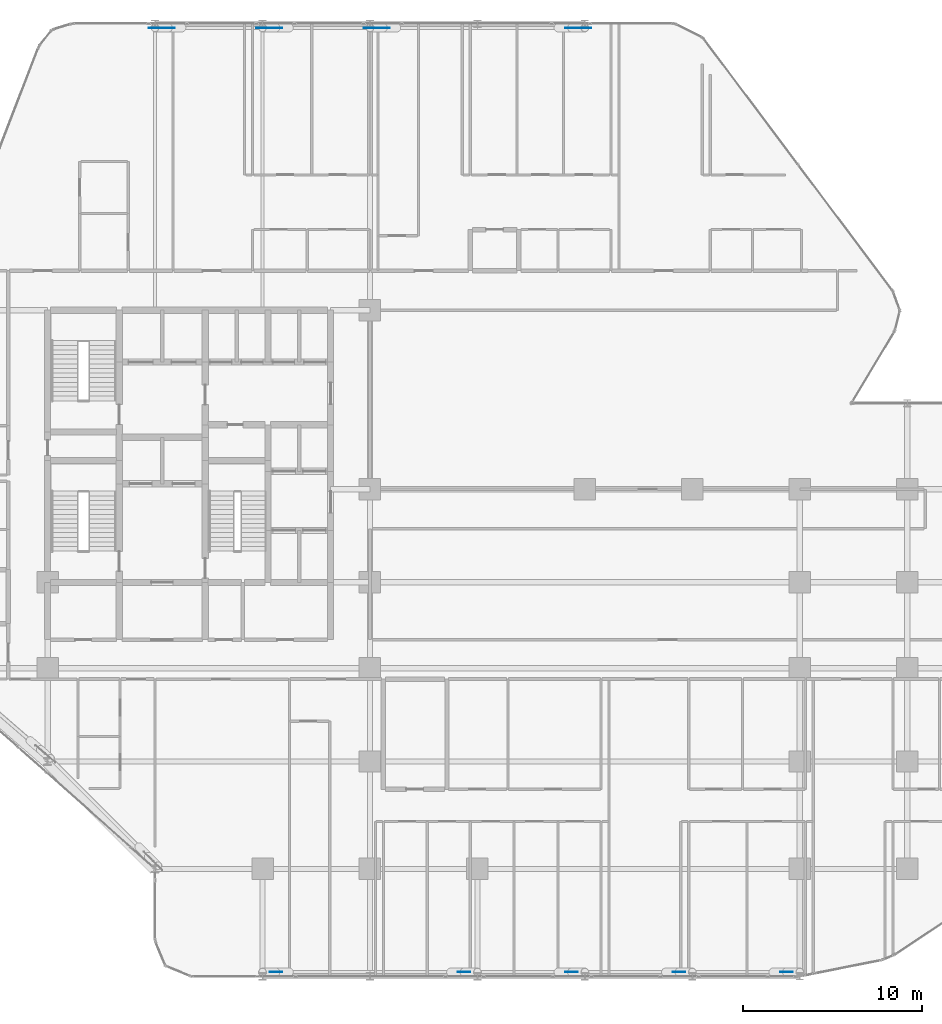
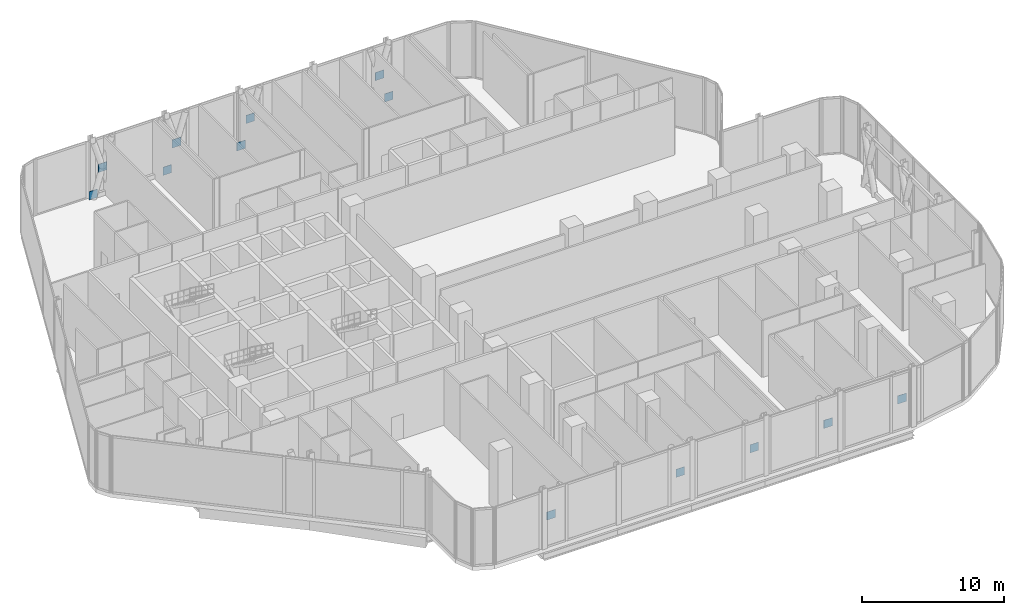
# One storey, part 27 of 36: 13 plates.
"""IFC4 building model written with IfcOpenShell, lengths in metres."""

from ifc_helpers import new_model, si_unit, direction, frame, origin, origin_2d, place, context, subcontext, project, spatial, rectangle, extrude, material, layer, layer_set, type_object, element, save


model = new_model("IFC4")

# Units and contexts
model_context = context("Model", 3, precision=1e-05, world=origin(), true_north=direction((0.0, 1.0)))
body_context = subcontext(model_context, "Body", "Model", "MODEL_VIEW")
ifc_project = project(units=[si_unit("LENGTHUNIT", "METRE"), si_unit("AREAUNIT", "SQUARE_METRE"), si_unit("VOLUMEUNIT", "CUBIC_METRE"), si_unit("PLANEANGLEUNIT", "RADIAN"), si_unit("MASSUNIT", "GRAM", prefix="KILO")], contexts=[model_context])

# Site, building, storey
site_placement = place(None, origin())
site = spatial("IfcSite", under=ifc_project, at=site_placement, CompositionType="ELEMENT")
building_placement = place(site_placement, origin())
building = spatial("IfcBuilding", under=site, at=building_placement, Name="Keshet Zoharim Tower", CompositionType="ELEMENT")
storey_placement = place(building_placement, frame((0.0, 0.0, 81.199951171875)))
storey = spatial("IfcBuildingStorey", under=building, at=storey_placement, Name="L19", CompositionType="ELEMENT", Elevation=81.199951171875)

# Plates
ifc_material = material(Name="Steel S355", Category="steel")
ifc_layer = layer(ifc_material, 0.02490234375)
ifc_layer_set = layer_set([ifc_layer], Name="Steel S355")
plate_type = type_object("IfcPlateType", Name="PL-GUS-25", PredefinedType="SHEET", material=ifc_layer_set)
for number, where, z_axis, x_axis, name in (
    (1, (21.75, 53.659912109375, 2.0927734375), (0.0, 0.0, 1.0), (1.0, 0.0, 0.0), "L19 Belt Truss X-Crossing Gusset 03"),
    (2, (21.0, 53.659912109375, 0.0), (0.0, 0.0, 1.0), (1.0, 0.0, 0.0), "L19 Belt Truss Node Gusset 03"),
    (3, (27.75, 53.659912109375, 2.0927734375), (0.0, 0.0, 1.0), (1.0, 0.0, 0.0), "L19 Belt Truss X-Crossing Gusset 04"),
    (4, (27.0, 53.659912109375, 0.0), (0.0, 0.0, 1.0), (1.0, 0.0, 0.0), "L19 Belt Truss Node Gusset 04"),
    (5, (33.75, 53.659912109375, 2.0927734375), (0.0, 0.0, 1.0), (1.0, 0.0, 0.0), "L19 Belt Truss X-Crossing Gusset 05"),
    (6, (33.0, 53.659912109375, 0.0), (0.0, 0.0, 1.0), (1.0, 0.0, 0.0), "L19 Belt Truss Node Gusset 05"),
    (7, (44.25, 53.659912109375, 2.0927734375), (0.0, 0.0, 1.0), (1.0, 0.0, 0.0), "L19 Belt Truss X-Crossing Gusset 06"),
    (8, (45.0, 53.659912109375, 0.0), (0.0, 0.0, 1.0), (1.0, 0.0, 0.0), "L19 Belt Truss Node Gusset 06"),
    (9, (56.25, 0.93994140625, 2.0927734375), (0.0, 0.0, 1.0), (-1.0, 0.0, 0.0), "L19 Belt Truss X-Crossing Gusset 09"),
    (10, (50.25, 0.93994140625, 2.0927734375), (0.0, 0.0, 1.0), (-1.0, 0.0, 0.0), "L19 Belt Truss X-Crossing Gusset 10"),
    (11, (44.25, 0.93994140625, 2.0927734375), (0.0, 0.0, 1.0), (-1.0, 0.0, 0.0), "L19 Belt Truss X-Crossing Gusset 11"),
    (12, (38.25, 0.93994140625, 2.0927734375), (0.0, 0.0, 1.0), (-1.0, 0.0, 0.0), "L19 Belt Truss X-Crossing Gusset 12"),
    (13, (27.75, 0.93994140625, 2.0927734375), (0.0, 0.0, 1.0), (-1.0, 0.0, 0.0), "L19 Belt Truss X-Crossing Gusset 13"),
):
    element("IfcPlate", number, at=place(storey_placement, frame(where, z_axis=z_axis, x_axis=x_axis)), inside=storey, type_object=plate_type, Name=name, PredefinedType="SHEET", context=body_context, shape_type="SweptSolid", body=[
        extrude(rectangle(XDim=0.699951171875, YDim=0.02490234375, at=origin_2d()), origin(), (0.0, 0.0, 1.0), 0.699951171875),
    ])

save(model, "model.ifc")
